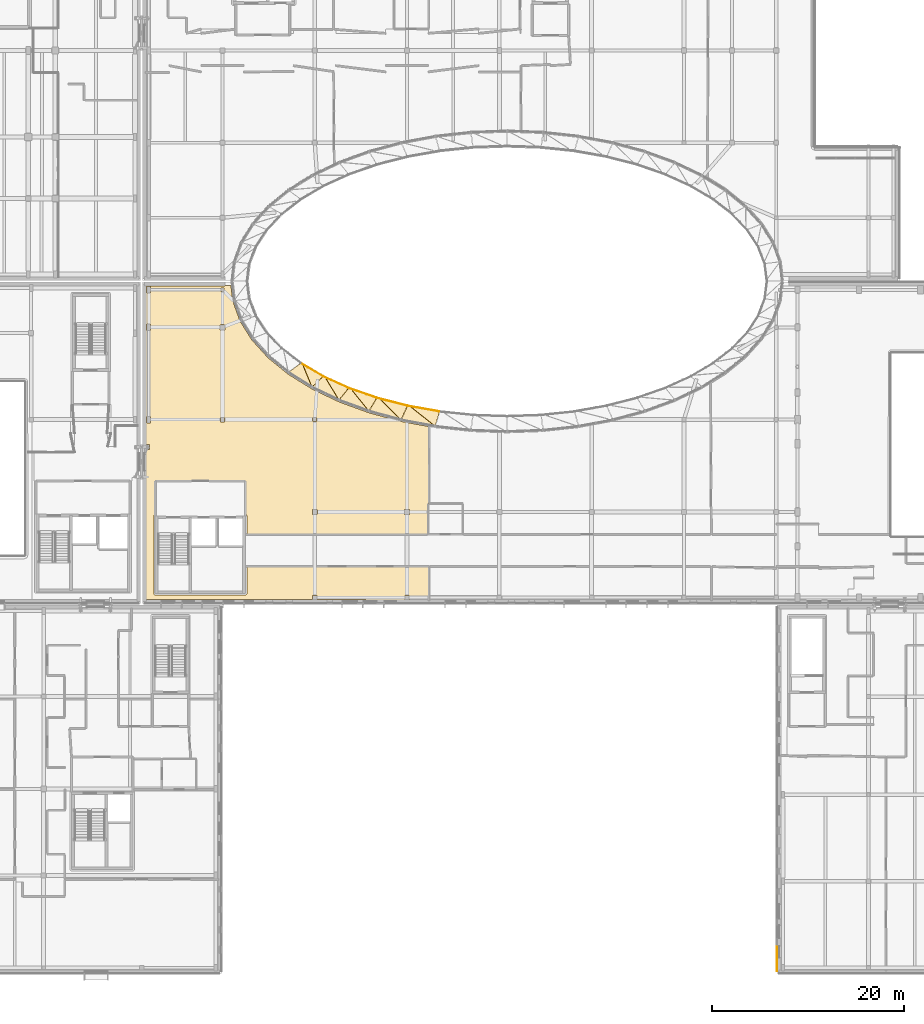
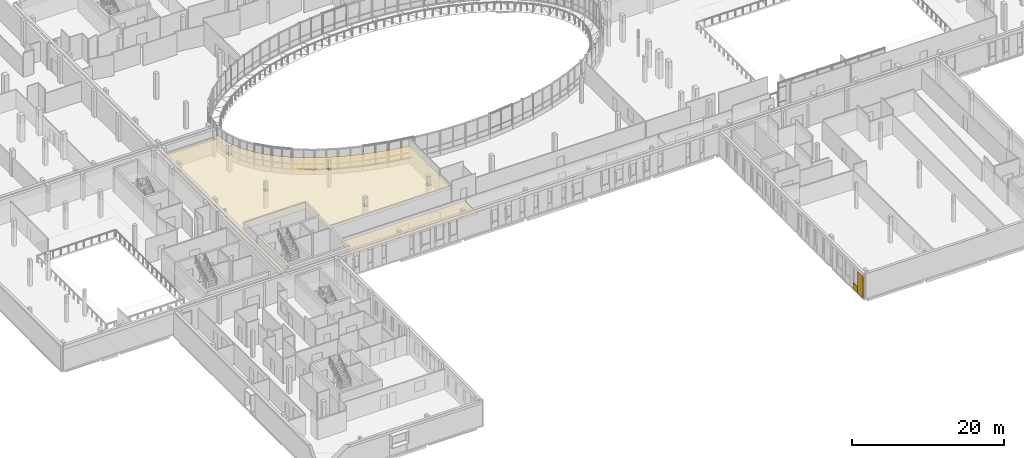
# One storey, part 67 of 84: 13 coverings, 5 railings.
"""IFC4 building model written with IfcOpenShell, lengths in metres."""

from ifc_helpers import new_model, si_unit, direction, frame, origin, origin_2d, place, context, subcontext, project, spatial, polyline, rectangle, circle, outline, extrude, material, layer, layer_set, type_object, element, save


model = new_model("IFC4")

# Units and contexts
model_context = context("Model", 3, precision=1e-05, world=origin(), true_north=direction((0.0, 1.0)))
body_context = subcontext(model_context, "Body", "Model", "MODEL_VIEW")
ifc_project = project(units=[si_unit("LENGTHUNIT", "METRE"), si_unit("AREAUNIT", "SQUARE_METRE"), si_unit("VOLUMEUNIT", "CUBIC_METRE"), si_unit("PLANEANGLEUNIT", "RADIAN"), si_unit("MASSUNIT", "GRAM", prefix="KILO")], contexts=[model_context])

# Site, building, storey
site_placement = place(None, origin())
site = spatial("IfcSite", under=ifc_project, at=site_placement, CompositionType="ELEMENT")
building_placement = place(site_placement, origin())
building = spatial("IfcBuilding", under=site, at=building_placement, Name="Mzevani Central Library", CompositionType="ELEMENT")
storey_placement = place(building_placement, frame((0.0, 0.0, 5.39990234375)))
storey = spatial("IfcBuildingStorey", under=building, at=storey_placement, Name="L01", CompositionType="ELEMENT", Elevation=5.39990234375)

# Coverings
ifc_material_1 = material(Name="Limestone ashlar cladding", Category="masonry")
ifc_layer_1 = layer(ifc_material_1, 0.050048828125, Name="Limestone Ashlar Spandrel Cladding")
ifc_layer_set_1 = layer_set([ifc_layer_1], Name="Limestone ashlar cladding")
covering_type_1 = type_object("IfcCoveringType", Name="Limestone Ashlar Spandrel Cladding", PredefinedType="CLADDING", material=ifc_layer_set_1)
covering_1_placement = place(storey_placement, frame((62.665283203125, 67.55859375, -0.27978515625), z_axis=(0.253328925068, 0.431032518622, 0.866045855376), x_axis=(0.862126118655, -0.506693749255, 0.0)))
element("IfcCovering", 1, at=covering_1_placement, inside=storey, type_object=covering_type_1, Name="L01 Curved Court Spandrel Apron 30A", PredefinedType="CLADDING", context=body_context, shape_type="SweptSolid", body=[
    extrude(outline(polyline([(0.0, 0.0), (2.6809062466198696, -2.220446049250313e-16), (2.1981123723736458, -1.9200579106004312), (0.0, 0.0)])), origin(), (0.0, 0.0, -1.0), 0.06005859375),
])
covering_2_placement = place(storey_placement, frame((62.665283203125, 67.55859375, -0.27978515625), z_axis=(0.269220909713, 0.435028730416, 0.859226457627), x_axis=(0.360612759945, -0.872798315302, 0.328909620066)))
element("IfcCovering", 2, at=covering_2_placement, inside=storey, type_object=covering_type_1, Name="L01 Curved Court Spandrel Apron 30B", PredefinedType="CLADDING", context=body_context, shape_type="SweptSolid", body=[
    extrude(outline(polyline([(0.0, 0.0), (2.9186161757999955, 1.1102230246251565e-16), (0.7122605702740938, -1.851951037693111), (0.0, 0.0)])), origin(), (0.0, 0.0, -1.0), 0.06005859375),
])
covering_3_placement = place(storey_placement, frame((64.980712890625, 66.192626953125, -0.27978515625), z_axis=(0.205044508599, 0.453669905786, 0.867260264325), x_axis=(0.911249009609, -0.411855851587, 0.0)))
element("IfcCovering", 3, at=covering_3_placement, inside=storey, type_object=covering_type_1, Name="L01 Curved Court Spandrel Apron 31A", PredefinedType="CLADDING", context=body_context, shape_type="SweptSolid", body=[
    extrude(outline(polyline([(0.0, 0.0), (2.892182069976342, -1.1102230246251565e-16), (2.4466371642454092, -1.9281936985533665), (0.0, 0.0)])), origin(), (0.0, 0.0, -1.0), 0.06005859375),
])
covering_4_placement = place(storey_placement, frame((64.980712890625, 66.192626953125, -0.27978515625), z_axis=(0.218726870619, 0.459547364532, 0.860798917182), x_axis=(0.494610846538, -0.812647736928, 0.308161915479)))
element("IfcCovering", 4, at=covering_4_placement, inside=storey, type_object=covering_type_1, Name="L01 Curved Court Spandrel Apron 31B", PredefinedType="CLADDING", context=body_context, shape_type="SweptSolid", body=[
    extrude(outline(polyline([(0.0, 0.0), (3.115118673920422, 5.551115123125783e-17), (0.653396258887849, -1.872900741689121), (0.0, 0.0)])), origin(), (0.0, 0.0, -1.0), 0.06005859375),
])
covering_5_placement = place(storey_placement, frame((67.621826171875, 64.9931640625, -0.27978515625), z_axis=(0.161025134653, 0.467528959782, 0.869187884048), x_axis=(0.945492423857, -0.325644094723, 0.0)))
element("IfcCovering", 5, at=covering_5_placement, inside=storey, type_object=covering_type_1, Name="L01 Curved Court Spandrel Apron 32A", PredefinedType="CLADDING", context=body_context, shape_type="SweptSolid", body=[
    extrude(outline(polyline([(0.0, 0.0), (3.0828326576993037, 1.1102230246251565e-16), (2.700599610164129, -1.9413466794206844), (0.0, 0.0)])), origin(), (0.0, 0.0, -1.0), 0.06005859375),
])
covering_6_placement = place(storey_placement, frame((67.621826171875, 64.9931640625, -0.27978515625), z_axis=(0.171913814934, 0.474140325425, 0.863502514206), x_axis=(0.602503110247, -0.744100149681, 0.288626002619)))
element("IfcCovering", 6, at=covering_6_placement, inside=storey, type_object=covering_type_1, Name="L01 Curved Court Spandrel Apron 32B", PredefinedType="CLADDING", context=body_context, shape_type="SweptSolid", body=[
    extrude(outline(polyline([(0.0, 0.0), (3.3259683077438313, 1.6653345369377348e-16), (0.6317656138168688, -1.8801541986872259), (0.0, 0.0)])), origin(), (0.0, 0.0, -1.0), 0.06005859375),
])
covering_7_placement = place(storey_placement, frame((70.544677734375, 63.98046875, -0.27978515625), z_axis=(0.12081862468, 0.475374961392, 0.87144793649), x_axis=(0.969187718636, -0.246323295783, 0.0)))
element("IfcCovering", 7, at=covering_7_placement, inside=storey, type_object=covering_type_1, Name="L01 Curved Court Spandrel Apron 33A", PredefinedType="CLADDING", context=body_context, shape_type="SweptSolid", body=[
    extrude(outline(polyline([(0.0, 0.0), (3.2439979462134962, -1.1102230246251565e-16), (2.945948773556845, -1.9571547232339233), (0.0, 0.0)])), origin(), (0.0, 0.0, -1.0), 0.06005859375),
])
covering_8_placement = place(storey_placement, frame((70.544677734375, 63.98046875, -0.27978515625), z_axis=(0.128971710387, 0.481816844141, 0.866728808003), x_axis=(0.688488872613, -0.672543321222, 0.271419515452)))
element("IfcCovering", 8, at=covering_8_placement, inside=storey, type_object=covering_type_1, Name="L01 Curved Court Spandrel Apron 33B", PredefinedType="CLADDING", context=body_context, shape_type="SweptSolid", body=[
    extrude(outline(polyline([(0.0, 0.0), (3.5368161935698508, -2.7755575615628914e-16), (0.6431129716528202, -1.8768792619257473), (0.0, 0.0)])), origin(), (0.0, 0.0, -1.0), 0.06005859375),
])
covering_9_placement = place(storey_placement, frame((73.7001953125, 63.17236328125, -0.27978515625), z_axis=(0.083921405289, 0.479611360363, 0.873458722977), x_axis=(0.985034157545, -0.172359242483, 0.0)))
element("IfcCovering", 9, at=covering_9_placement, inside=storey, type_object=covering_type_1, Name="L01 Curved Court Spandrel Apron 34A", PredefinedType="CLADDING", context=body_context, shape_type="SweptSolid", body=[
    extrude(outline(polyline([(0.0, 0.0), (3.36976734469017, 5.551115123125783e-17), (3.1726702722399707, -1.971584477546406), (0.0, 0.0)])), origin(), (0.0, 0.0, -1.0), 0.06005859375),
])
covering_10_placement = place(storey_placement, frame((73.7001953125, 63.17236328125, -0.27978515625), z_axis=(0.089319269675, 0.484928921157, 0.869980465005), x_axis=(0.75718599576, -0.60052006293, 0.256992260279)))
element("IfcCovering", 10, at=covering_10_placement, inside=storey, type_object=covering_type_1, Name="L01 Curved Court Spandrel Apron 34B", PredefinedType="CLADDING", context=body_context, shape_type="SweptSolid", body=[
    extrude(outline(polyline([(0.0, 0.0), (3.7353690592038142, -1.1102230246251565e-16), (0.6826167984800011, -1.8643002218664777), (0.0, 0.0)])), origin(), (0.0, 0.0, -1.0), 0.06005859375),
])
covering_11_placement = place(storey_placement, frame((112.075927734375, 4.9150390625, 0.0), z_axis=(0.0, 0.0, 1.0), x_axis=(0.0, 1.0, 0.0)))
element("IfcCovering", 11, at=covering_11_placement, inside=storey, type_object=covering_type_1, Name="L01 Warm-White Facade Pier 1 (EW4-V6-L01-0107)", PredefinedType="CLADDING", context=body_context, shape_type="SweptSolid", body=[
    extrude(rectangle(XDim=1.409912109375, YDim=0.050048828125, at=origin_2d()), origin(), (0.0, 0.0, 1.0), 3.449951171875),
])
covering_12_placement = place(storey_placement, frame((112.075927734375, 6.239990234375, 0.0), z_axis=(0.0, 0.0, 1.0), x_axis=(0.0, 1.0, 0.0)))
element("IfcCovering", 12, at=covering_12_placement, inside=storey, type_object=covering_type_1, Name="L01 Warm-White Sill Cladding 2 (EW4-V6-L01-0107)", PredefinedType="CLADDING", context=body_context, shape_type="SweptSolid", body=[
    extrude(rectangle(XDim=1.199951171875, YDim=0.050048828125, at=origin_2d()), origin(), (0.0, 0.0, 1.0), 0.949951171875),
])
ifc_material_2 = material(Name="Mineral wool acoustic ceiling")
ifc_layer_2 = layer(ifc_material_2, 0.0400390625, Name="Perforated Timber Acoustic Ceiling")
ifc_layer_set_2 = layer_set([ifc_layer_2], Name="Mineral wool acoustic ceiling")
covering_type_2 = type_object("IfcCoveringType", Name="Perforated Timber Acoustic Ceiling", PredefinedType="CEILING", material=ifc_layer_set_2)
covering_13_placement = place(storey_placement, frame((0.0, 0.0, 2.72998046875)))
element("IfcCovering", 13, at=covering_13_placement, inside=storey, type_object=covering_type_2, Name="L01 Upper Reading Mezzanine Acoustic Ceiling", PredefinedType="CEILING", context=body_context, shape_type="SweptSolid", body=[
    extrude(outline(polyline([(75.875, 52.8798828125), (75.784912109375, 52.8701171875), (75.77685546875, 49.670166015625), (56.948974609375, 49.669921875), (56.939208984375, 51.6123046875), (56.88818359375, 51.7080078125), (56.7900390625, 51.75), (56.7900390625, 55.18994140625), (47.409912109375, 55.18994140625), (47.409912109375, 51.75), (47.301513671875, 51.698486328125), (47.260009765625, 51.597900390625), (47.285400390625, 43.422607421875), (47.402587890625, 43.360107421875), (56.83837890625, 43.366455078125), (56.93994140625, 43.50341796875), (56.948974609375, 46.330078125), (75.864990234375, 46.330078125), (75.875, 42.87890625), (75.864990234375, 42.8701171875), (46.4736328125, 42.872314453125), (46.469970703125, 58.5), (46.800048828125, 58.5), (46.800048828125, 59.0), (46.469970703125, 59.0), (46.472412109375, 75.5263671875), (55.27978515625, 75.52880859375), (55.4755859375, 73.945068359375), (56.2353515625, 71.848388671875), (57.466796875, 69.878662109375), (59.150634765625, 68.025146484375), (61.274658203125, 66.302490234375), (63.759765625, 64.767578125), (66.58544921875, 63.424560546875), (69.704833984375, 62.294921875), (73.035888671875, 61.403564453125), (75.871337890625, 60.87890625), (75.875, 52.8798828125)]), holes=[polyline([(46.925048828125, 61.25), (46.925048828125, 61.949951171875), (46.574951171875, 61.949951171875), (46.574951171875, 61.25), (46.925048828125, 61.25)]), polyline([(46.574951171875, 70.85009765625), (46.925048828125, 70.85009765625), (46.925048828125, 71.550048828125), (46.574951171875, 71.550048828125), (46.574951171875, 70.85009765625)]), polyline([(46.574951171875, 75.449951171875), (46.574951171875, 74.75), (46.925048828125, 74.75), (46.925048828125, 75.449951171875), (46.574951171875, 75.449951171875)]), polyline([(54.625, 61.824951171875), (54.175048828125, 61.824951171875), (54.175048828125, 61.375), (54.625, 61.375), (54.625, 61.824951171875)]), polyline([(54.64990234375, 70.949951171875), (54.64990234375, 71.449951171875), (54.14990234375, 71.449951171875), (54.14990234375, 70.949951171875), (54.64990234375, 70.949951171875)]), polyline([(54.22509765625, 74.925048828125), (54.574951171875, 74.925048828125), (54.574951171875, 75.27490234375), (54.22509765625, 75.27490234375), (54.22509765625, 74.925048828125)]), polyline([(63.77490234375, 43.324951171875), (63.77490234375, 42.875), (64.22509765625, 42.875), (64.22509765625, 43.324951171875), (63.77490234375, 43.324951171875)]), polyline([(64.25, 52.25), (63.75, 52.25), (63.75, 51.75), (64.25, 51.75), (64.25, 52.25)]), polyline([(64.199951171875, 61.39990234375), (64.199951171875, 61.800048828125), (63.800048828125, 61.800048828125), (63.800048828125, 61.39990234375), (64.199951171875, 61.39990234375)]), polyline([(73.375, 42.875), (73.824951171875, 42.875), (73.824951171875, 43.324951171875), (73.375, 43.324951171875), (73.375, 42.875)]), polyline([(73.35009765625, 52.25), (73.35009765625, 51.75), (73.85009765625, 51.75), (73.85009765625, 52.25), (73.35009765625, 52.25)])]), origin(), (0.0, 0.0, 1.0), 0.0400390625),
])

# Railings
ifc_material_3 = material(Name="Anodized architectural bronze")
railing_type = type_object("IfcRailingType", Name="Terrace and Court Balustrade 1100", PredefinedType="BALUSTRADE", material=ifc_material_3)
railing_1_placement = place(storey_placement, frame((62.519287109375, 67.492919921875, 0.0)))
element("IfcRailing", 14, at=railing_1_placement, inside=storey, type_object=railing_type, Name="L01 Elliptical Court Terrace Guard 30", PredefinedType="BALUSTRADE", context=body_context, shape_type="SweptSolid", body=[
    extrude(circle(Radius=0.02392578125, at=origin_2d()), frame((0.0, 0.0, 1.076171875), z_axis=(0.862149496171, -0.506653970923, 0.0), x_axis=(0.506653970923, 0.862149496171, 0.0)), (0.0, 0.0, 1.0), 2.68115234375),
    extrude(circle(Radius=0.02099609375, at=origin_2d()), origin(), (0.0, 0.0, 1.0), 1.052001953125),
    extrude(circle(Radius=0.02099609375, at=origin_2d()), frame((0.7705078125, -0.452880859375, 0.0)), (0.0, 0.0, 1.0), 1.052001953125),
    extrude(circle(Radius=0.02099609375, at=origin_2d()), frame((1.541015625, -0.905517578125, 0.0)), (0.0, 0.0, 1.0), 1.052001953125),
    extrude(circle(Radius=0.02099609375, at=origin_2d()), frame((2.3115234375, -1.3583984375, 0.0)), (0.0, 0.0, 1.0), 1.052001953125),
])
railing_2_placement = place(storey_placement, frame((64.842529296875, 66.111572265625, 0.0)))
element("IfcRailing", 15, at=railing_2_placement, inside=storey, type_object=railing_type, Name="L01 Elliptical Court Terrace Guard 31", PredefinedType="BALUSTRADE", context=body_context, shape_type="SweptSolid", body=[
    extrude(circle(Radius=0.02392578125, at=origin_2d()), frame((0.0, 0.0, 1.076171875), z_axis=(0.9112633267, -0.411824172932, 0.0), x_axis=(0.411824172932, 0.9112633267, 0.0)), (0.0, 0.0, 1.0), 2.892333984375),
    extrude(circle(Radius=0.02099609375, at=origin_2d()), origin(), (0.0, 0.0, 1.0), 1.052001953125),
    extrude(circle(Radius=0.02099609375, at=origin_2d()), frame((0.878662109375, -0.39697265625, 0.0)), (0.0, 0.0, 1.0), 1.052001953125),
    extrude(circle(Radius=0.02099609375, at=origin_2d()), frame((1.757080078125, -0.794189453125, 0.0)), (0.0, 0.0, 1.0), 1.052001953125),
    extrude(circle(Radius=0.02099609375, at=origin_2d()), frame((2.6357421875, -1.191162109375, 0.0)), (0.0, 0.0, 1.0), 1.052001953125),
])
railing_3_placement = place(storey_placement, frame((67.4951171875, 64.8955078125, 0.0)))
element("IfcRailing", 16, at=railing_3_placement, inside=storey, type_object=railing_type, Name="L01 Elliptical Court Terrace Guard 32", PredefinedType="BALUSTRADE", context=body_context, shape_type="SweptSolid", body=[
    extrude(circle(Radius=0.02392578125, at=origin_2d()), frame((0.0, 0.0, 1.076171875), z_axis=(0.945492423857, -0.325644094723, 0.0), x_axis=(0.325644094723, 0.945492423857, 0.0)), (0.0, 0.0, 1.0), 3.082763671875),
    extrude(circle(Radius=0.02099609375, at=origin_2d()), origin(), (0.0, 0.0, 1.0), 1.052001953125),
    extrude(circle(Radius=0.02099609375, at=origin_2d()), frame((0.9716796875, -0.334716796875, 0.0)), (0.0, 0.0, 1.0), 1.052001953125),
    extrude(circle(Radius=0.02099609375, at=origin_2d()), frame((1.943115234375, -0.669189453125, 0.0)), (0.0, 0.0, 1.0), 1.052001953125),
    extrude(circle(Radius=0.02099609375, at=origin_2d()), frame((2.914794921875, -1.00390625, 0.0)), (0.0, 0.0, 1.0), 1.052001953125),
])
railing_4_placement = place(storey_placement, frame((70.43408203125, 63.86474609375, 0.0)))
element("IfcRailing", 17, at=railing_4_placement, inside=storey, type_object=railing_type, Name="L01 Elliptical Court Terrace Guard 33", PredefinedType="BALUSTRADE", context=body_context, shape_type="SweptSolid", body=[
    extrude(circle(Radius=0.02392578125, at=origin_2d()), frame((0.0, 0.0, 1.076171875), z_axis=(0.969187718636, -0.246323295783, 0.0), x_axis=(0.246323295783, 0.969187718636, 0.0)), (0.0, 0.0, 1.0), 3.243896484375),
    extrude(circle(Radius=0.02099609375, at=origin_2d()), origin(), (0.0, 0.0, 1.0), 1.052001953125),
    extrude(circle(Radius=0.02099609375, at=origin_2d()), frame((1.048095703125, -0.266357421875, 0.0)), (0.0, 0.0, 1.0), 1.052001953125),
    extrude(circle(Radius=0.02099609375, at=origin_2d()), frame((2.095947265625, -0.53271484375, 0.0)), (0.0, 0.0, 1.0), 1.052001953125),
    extrude(circle(Radius=0.02099609375, at=origin_2d()), frame((3.14404296875, -0.799072265625, 0.0)), (0.0, 0.0, 1.0), 1.052001953125),
])
railing_5_placement = place(storey_placement, frame((73.612060546875, 63.038818359375, 0.0)))
element("IfcRailing", 18, at=railing_5_placement, inside=storey, type_object=railing_type, Name="L01 Elliptical Court Terrace Guard 34", PredefinedType="BALUSTRADE", context=body_context, shape_type="SweptSolid", body=[
    extrude(circle(Radius=0.02392578125, at=origin_2d()), frame((0.0, 0.0, 1.076171875), z_axis=(0.985036309647, -0.172346942756, 0.0), x_axis=(0.172346942756, 0.985036309647, 0.0)), (0.0, 0.0, 1.0), 3.3701171875),
    extrude(circle(Radius=0.02099609375, at=origin_2d()), origin(), (0.0, 0.0, 1.0), 1.052001953125),
    extrude(circle(Radius=0.02099609375, at=origin_2d()), frame((1.1064453125, -0.193603515625, 0.0)), (0.0, 0.0, 1.0), 1.052001953125),
    extrude(circle(Radius=0.02099609375, at=origin_2d()), frame((2.213134765625, -0.38720703125, 0.0)), (0.0, 0.0, 1.0), 1.052001953125),
    extrude(circle(Radius=0.02099609375, at=origin_2d()), frame((3.319580078125, -0.580810546875, 0.0)), (0.0, 0.0, 1.0), 1.052001953125),
])

save(model, "model.ifc")
